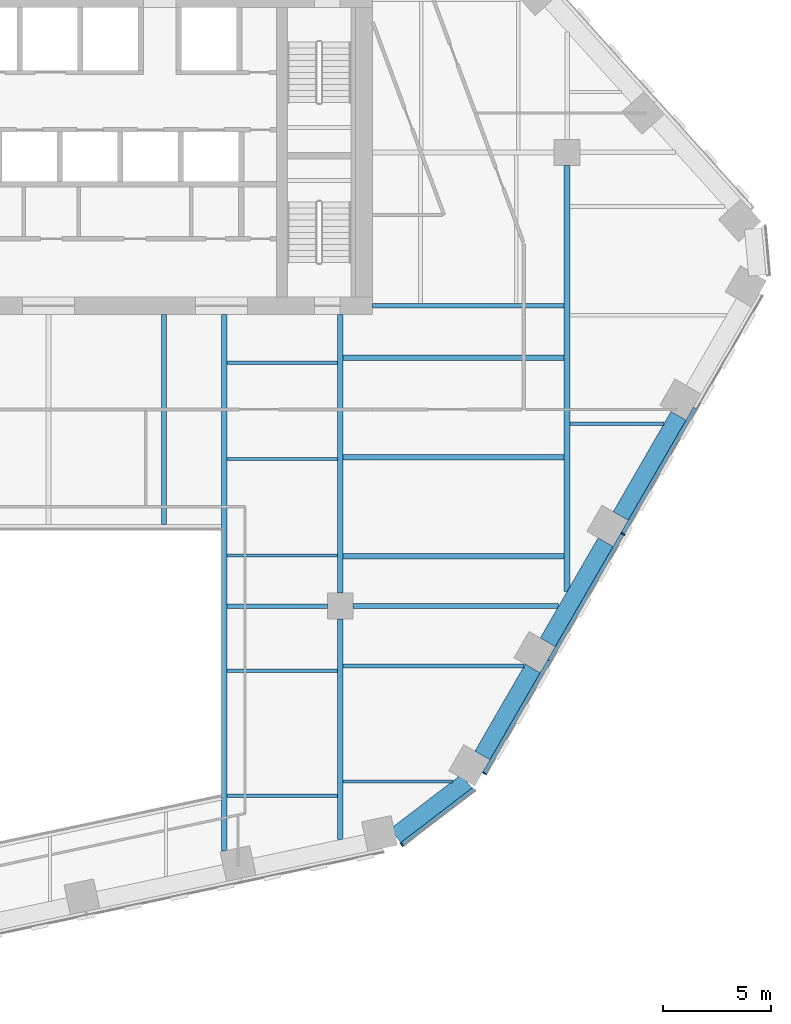
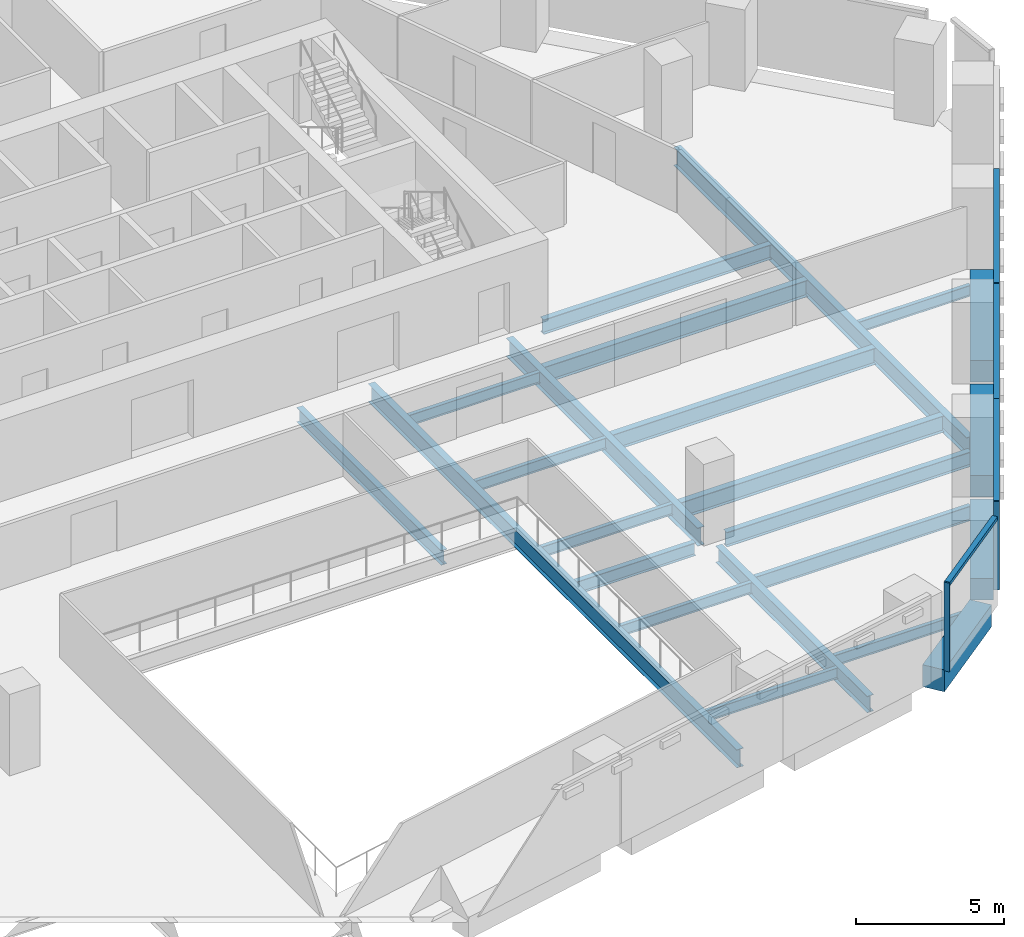
# One storey, part 5 of 17: 23 beams, 7 members, 2 elements without a shape of their own.
"""IFC4 building model written with IfcOpenShell, lengths in metres."""

from ifc_helpers import new_model, si_unit, direction, frame, origin, origin_2d, place, context, subcontext, project, spatial, rectangle, i_section, extrude, material, layer, layer_set, material_profile, profile_set, type_object, element, aggregate, save


model = new_model("IFC4")

# Units and contexts
model_context = context("Model", 3, precision=1e-05, world=origin(), true_north=direction((0.0, 1.0)))
body_context = subcontext(model_context, "Body", "Model", "MODEL_VIEW")
ifc_project = project(units=[si_unit("LENGTHUNIT", "METRE"), si_unit("AREAUNIT", "SQUARE_METRE"), si_unit("VOLUMEUNIT", "CUBIC_METRE"), si_unit("PLANEANGLEUNIT", "RADIAN"), si_unit("MASSUNIT", "GRAM", prefix="KILO")], contexts=[model_context])

# Site, building, storey
site_placement = place(None, origin())
site = spatial("IfcSite", under=ifc_project, at=site_placement, CompositionType="ELEMENT")
building_placement = place(site_placement, origin())
building = spatial("IfcBuilding", under=site, at=building_placement, Name="Isthmus Gate Tower", CompositionType="ELEMENT")
storey_placement = place(building_placement, frame((0.0, 0.0, 162.64990234375)))
storey = spatial("IfcBuildingStorey", under=building, at=storey_placement, Name="L40", CompositionType="ELEMENT", Elevation=162.64990234375)

# Curtain wall, member
ifc_material_1 = material(Name="Aluminium, pale champagne anodised", Category="aluminium")
ifc_layer = layer(ifc_material_1, 0.199951171875)
ifc_layer_set = layer_set([ifc_layer], Name="CW-1 UNITISED CURTAIN WALL 200 DEEP")
curtain_wall_type = type_object("IfcCurtainWallType", Name="CW-1 UNITISED CURTAIN WALL 200 DEEP", PredefinedType="NOTDEFINED", material=ifc_layer_set)
curtain_wall_1_placement = place(storey_placement, origin())
curtain_wall_1 = element("IfcCurtainWall", 1, at=curtain_wall_1_placement, inside=storey, type_object=curtain_wall_type, Name="CW-1 S-SE L40", PredefinedType="NOTDEFINED")
ifc_material_2 = material(Name="Aluminium, pale champagne anodised", Category="aluminium")
ifc_material_profile_1 = material_profile(ifc_material_2, rectangle(XDim=0.06005859375, YDim=0.199951171875, at=origin_2d()), Name="60x200")
ifc_profile_set_1 = profile_set([ifc_material_profile_1], Name="Aluminium, pale champagne anodised")
member_type_1 = type_object("IfcMemberType", Name="CW-1 MULLION 60 X 200", PredefinedType="MULLION", material=ifc_profile_set_1)
member_1_placement = place(storey_placement, frame((16.346435546875, -24.5419921875, 0.0), z_axis=(0.0, 0.0, 1.0), x_axis=(0.794188594387, 0.607671355706, 0.0)))
member_1 = element("IfcMember", 2, at=member_1_placement, type_object=member_type_1, Name="CW-1 mullion", PredefinedType="MULLION", context=body_context, shape_type="SweptSolid", body=[
    extrude(rectangle(XDim=0.06005859375, YDim=0.199951171875, at=origin_2d()), origin(), (0.0, 0.0, 1.0), 3.650146484375),
])

# Curtain wall, members
curtain_wall_2_placement = place(storey_placement, origin())
curtain_wall_2 = element("IfcCurtainWall", 3, at=curtain_wall_2_placement, inside=storey, type_object=curtain_wall_type, Name="CW-1 SE L40", PredefinedType="NOTDEFINED")
member_2_placement = place(storey_placement, frame((20.18115234375, -21.245361328125, 0.0), z_axis=(0.0, 0.0, 1.0), x_axis=(0.5, 0.866025403784, 0.0)))
member_2 = element("IfcMember", 4, at=member_2_placement, type_object=member_type_1, Name="CW-1 mullion", PredefinedType="MULLION", context=body_context, shape_type="SweptSolid", body=[
    extrude(rectangle(XDim=0.06005859375, YDim=0.199951171875, at=origin_2d()), origin(), (0.0, 0.0, 1.0), 3.650146484375),
])
member_3_placement = place(storey_placement, frame((26.5810546875, -10.16015625, 0.0), z_axis=(0.0, 0.0, 1.0), x_axis=(0.5, 0.866025403784, 0.0)))
member_3 = element("IfcMember", 5, at=member_3_placement, type_object=member_type_1, Name="CW-1 mullion", PredefinedType="MULLION", context=body_context, shape_type="SweptSolid", body=[
    extrude(rectangle(XDim=0.06005859375, YDim=0.199951171875, at=origin_2d()), origin(), (0.0, 0.0, 1.0), 3.650146484375),
])

# Member
ifc_material_3 = material(Name="Aluminium, pale champagne anodised", Category="aluminium")
ifc_material_profile_2 = material_profile(ifc_material_3, rectangle(XDim=0.199951171875, YDim=0.139892578125, at=origin_2d()), Name="200x140")
ifc_profile_set_2 = profile_set([ifc_material_profile_2], Name="Aluminium, pale champagne anodised")
member_type_2 = type_object("IfcMemberType", Name="CW-1 TRANSOM 200 X 140", PredefinedType="USERDEFINED", material=ifc_profile_set_2)
member_4_placement = place(storey_placement, frame((16.3701171875, -24.52392578125, 3.580078125), z_axis=(0.79419705805, 0.607660294066, 0.0), x_axis=(-0.607660294066, 0.79419705805, 0.0)))
member_4 = element("IfcMember", 6, at=member_4_placement, type_object=member_type_2, Name="CW-1 transom", ObjectType="TRANSOM", PredefinedType="USERDEFINED", context=body_context, shape_type="SweptSolid", body=[
    extrude(rectangle(XDim=0.199951171875, YDim=0.139892578125, at=origin_2d()), origin(), (0.0, 0.0, 1.0), 4.181640625),
])

aggregate(curtain_wall_1, [member_1, member_4])

member_5_placement = place(storey_placement, frame((20.196044921875, -21.219482421875, 3.580078125), z_axis=(0.499996458184, 0.866027448643, 0.0), x_axis=(-0.866027448643, 0.499996458184, 0.0)))
member_5 = element("IfcMember", 7, at=member_5_placement, type_object=member_type_2, Name="CW-1 transom", ObjectType="TRANSOM", PredefinedType="USERDEFINED", context=body_context, shape_type="SweptSolid", body=[
    extrude(rectangle(XDim=0.199951171875, YDim=0.139892578125, at=origin_2d()), origin(), (0.0, 0.0, 1.0), 5.990234375),
])

member_6_placement = place(storey_placement, frame((23.191162109375, -16.03173828125, 3.580078125), z_axis=(0.499997969693, 0.866026575979, 0.0), x_axis=(-0.866026575979, 0.499997969693, 0.0)))
member_6 = element("IfcMember", 8, at=member_6_placement, type_object=member_type_2, Name="CW-1 transom", ObjectType="TRANSOM", PredefinedType="USERDEFINED", context=body_context, shape_type="SweptSolid", body=[
    extrude(rectangle(XDim=0.199951171875, YDim=0.139892578125, at=origin_2d()), origin(), (0.0, 0.0, 1.0), 6.75),
])

member_7_placement = place(storey_placement, frame((26.59619140625, -10.134033203125, 3.580078125), z_axis=(0.499997283838, 0.866026971956, 0.0), x_axis=(-0.866026971956, 0.499997283838, 0.0)))
member_7 = element("IfcMember", 9, at=member_7_placement, type_object=member_type_2, Name="CW-1 transom", ObjectType="TRANSOM", PredefinedType="USERDEFINED", context=body_context, shape_type="SweptSolid", body=[
    extrude(rectangle(XDim=0.199951171875, YDim=0.139892578125, at=origin_2d()), origin(), (0.0, 0.0, 1.0), 6.68994140625),
])

aggregate(curtain_wall_2, [member_2, member_5, member_6, member_3, member_7])

# Beams
ifc_material_4 = material(Name="Concrete f'c 60 MPa", Category="concrete")
ifc_material_profile_3 = material_profile(ifc_material_4, rectangle(XDim=0.800048828125, YDim=0.89990234375, at=origin_2d()), Name="RC 800X900")
ifc_profile_set_3 = profile_set([ifc_material_profile_3], Name="Concrete f'c 60 MPa")
beam_type_1 = type_object("IfcBeamType", Name="RC SPANDREL 800 X 900", PredefinedType="SPANDREL", material=ifc_profile_set_3)
for number, where, z_axis, x_axis, name in (
    (10, (29.158203125, -4.696533203125, -0.449951171875), (-0.500001594578, -0.866024483152, 0.0), (0.866024483152, -0.500001594578, 0.0), "str-spandrel-L40-07"),
    (11, (25.783203125, -10.542236328125, -0.449951171875), (-0.500001594578, -0.866024483152, 0.0), (0.866024483152, -0.500001594578, 0.0), "str-spandrel-L40-08"),
):
    element("IfcBeam", number, at=place(storey_placement, frame(where, z_axis=z_axis, x_axis=x_axis)), inside=storey, type_object=beam_type_1, Name=name, PredefinedType="SPANDREL", context=body_context, shape_type="SweptSolid", body=[
        extrude(rectangle(XDim=0.800048828125, YDim=0.89990234375, at=origin_2d()), origin(), (0.0, 0.0, 1.0), 5.35009765625),
    ])
beam_1_placement = place(storey_placement, frame((22.408203125, -16.387939453125, -0.449951171875), z_axis=(-0.500001179632, -0.866024722723, 0.0), x_axis=(0.866024722723, -0.500001179632, 0.0)))
element("IfcBeam", 12, at=beam_1_placement, inside=storey, type_object=beam_type_1, Name="str-spandrel-L40-09", PredefinedType="SPANDREL", context=body_context, shape_type="SweptSolid", body=[
    extrude(rectangle(XDim=0.800048828125, YDim=0.89990234375, at=origin_2d()), origin(), (0.0, 0.0, 1.0), 4.650390625),
])
beam_2_placement = place(storey_placement, frame((19.354248046875, -21.611083984375, -0.449951171875), z_axis=(-0.794205941875, -0.607648682949, 0.0), x_axis=(0.607648682949, -0.794205941875, 0.0)))
element("IfcBeam", 13, at=beam_2_placement, inside=storey, type_object=beam_type_1, Name="str-spandrel-L40-10", PredefinedType="SPANDREL", context=body_context, shape_type="SweptSolid", body=[
    extrude(rectangle(XDim=0.800048828125, YDim=0.89990234375, at=origin_2d()), origin(), (0.0, 0.0, 1.0), 4.15234375),
])
ifc_material_5 = material(Name="Structural steel ASTM A992 Gr 50", Category="steel")
ifc_material_profile_4 = material_profile(ifc_material_5, i_section(OverallWidth=0.15234375, OverallDepth=0.45068359375, WebThickness=0.0078125, FlangeThickness=0.010986328125, at=origin_2d()), Name="W18X35")
ifc_profile_set_4 = profile_set([ifc_material_profile_4], Name="Structural steel ASTM A992 Gr 50")
beam_type_2 = type_object("IfcBeamType", Name="STEEL FLOOR BEAM W18X35", PredefinedType="JOIST", material=ifc_profile_set_4)
for number, where, z_axis, x_axis, name in (
    (14, (8.263427734375, -22.283203125, -0.375244140625), (1.0, 0.0, 0.0), (0.0, 1.0, 0.0), "str-beam-L40-09-00"),
    (15, (8.263427734375, -16.49755859375, -0.375244140625), (1.0, 0.0, 0.0), (0.0, 1.0, 0.0), "str-beam-L40-09-01"),
):
    element("IfcBeam", number, at=place(storey_placement, frame(where, z_axis=z_axis, x_axis=x_axis)), inside=storey, type_object=beam_type_2, Name=name, PredefinedType="JOIST", context=body_context, shape_type="SweptSolid", body=[
        extrude(i_section(OverallWidth=0.15234375, OverallDepth=0.45068359375, WebThickness=0.0078125, FlangeThickness=0.010986328125, at=origin_2d()), origin(), (0.0, 0.0, 1.0), 5.109619140625),
    ])
for number, where, z_axis, x_axis, name in (
    (16, (8.263427734375, -11.16259765625, -0.375244140625), (1.0, 0.0, 0.0), (0.0, 1.0, 0.0), "str-beam-L40-10-00"),
    (17, (8.263427734375, -6.697509765625, -0.375244140625), (1.0, 0.0, 0.0), (0.0, 1.0, 0.0), "str-beam-L40-10-01"),
    (18, (8.263427734375, -2.232421875, -0.375244140625), (1.0, 0.0, 0.0), (0.0, 1.0, 0.0), "str-beam-L40-10-02"),
):
    element("IfcBeam", number, at=place(storey_placement, frame(where, z_axis=z_axis, x_axis=x_axis)), inside=storey, type_object=beam_type_2, Name=name, PredefinedType="JOIST", context=body_context, shape_type="SweptSolid", body=[
        extrude(i_section(OverallWidth=0.15234375, OverallDepth=0.45068359375, WebThickness=0.0078125, FlangeThickness=0.010986328125, at=origin_2d()), origin(), (0.0, 0.0, 1.0), 5.104736328125),
    ])
beam_3_placement = place(storey_placement, frame((13.626953125, -21.61767578125, -0.375244140625), z_axis=(1.0, 0.0, 0.0), x_axis=(0.0, 1.0, 0.0)))
element("IfcBeam", 19, at=beam_3_placement, inside=storey, type_object=beam_type_2, Name="str-beam-L40-11-00", PredefinedType="JOIST", context=body_context, shape_type="SweptSolid", body=[
    extrude(i_section(OverallWidth=0.15234375, OverallDepth=0.45068359375, WebThickness=0.0078125, FlangeThickness=0.010986328125, at=origin_2d()), origin(), (0.0, 0.0, 1.0), 5.060302734375),
])
beam_4_placement = place(storey_placement, frame((24.13330078125, -5.0625, -0.375244140625), z_axis=(1.0, 0.0, 0.0), x_axis=(0.0, 1.0, 0.0)))
element("IfcBeam", 20, at=beam_4_placement, inside=storey, type_object=beam_type_2, Name="str-beam-L40-16-00", PredefinedType="JOIST", context=body_context, shape_type="SweptSolid", body=[
    extrude(i_section(OverallWidth=0.15234375, OverallDepth=0.45068359375, WebThickness=0.0078125, FlangeThickness=0.010986328125, at=origin_2d()), origin(), (0.0, 0.0, 1.0), 4.351806640625),
])
ifc_material_6 = material(Name="Structural steel ASTM A992 Gr 50", Category="steel")
ifc_material_profile_5 = material_profile(ifc_material_6, i_section(OverallWidth=0.177734375, OverallDepth=0.60009765625, WebThickness=0.009521484375, FlangeThickness=0.0126953125, at=origin_2d()), Name="W24X55")
ifc_profile_set_5 = profile_set([ifc_material_profile_5], Name="Structural steel ASTM A992 Gr 50")
beam_type_3 = type_object("IfcBeamType", Name="STEEL FLOOR BEAM W24X55", PredefinedType="JOIST", material=ifc_profile_set_5)
beam_5_placement = place(storey_placement, frame((13.626953125, -16.2822265625, -0.449951171875), z_axis=(1.0, 0.0, 0.0), x_axis=(0.0, 1.0, 0.0)))
element("IfcBeam", 21, at=beam_5_placement, inside=storey, type_object=beam_type_3, Name="str-beam-L40-11-01", PredefinedType="JOIST", context=body_context, shape_type="SweptSolid", body=[
    extrude(i_section(OverallWidth=0.177734375, OverallDepth=0.60009765625, WebThickness=0.009521484375, FlangeThickness=0.0126953125, at=origin_2d()), origin(), (0.0, 0.0, 1.0), 8.38037109375),
])
ifc_material_7 = material(Name="Structural steel ASTM A992 Gr 50", Category="steel")
ifc_material_profile_6 = material_profile(ifc_material_7, i_section(OverallWidth=0.228515625, OverallDepth=0.603271484375, WebThickness=0.010986328125, FlangeThickness=0.014404296875, at=origin_2d()), Name="W24X68")
ifc_profile_set_6 = profile_set([ifc_material_profile_6], Name="Structural steel ASTM A992 Gr 50")
beam_type_4 = type_object("IfcBeamType", Name="STEEL FLOOR BEAM W24X68", PredefinedType="JOIST", material=ifc_profile_set_6)
beam_6_placement = place(storey_placement, frame((5.333251953125, -9.7333984375, -0.451416015625), z_axis=(0.0, 1.0, 0.0), x_axis=(-1.0, 0.0, 0.0)))
element("IfcBeam", 22, at=beam_6_placement, inside=storey, type_object=beam_type_4, Name="str-beam-L40-06-02", PredefinedType="JOIST", context=body_context, shape_type="SweptSolid", body=[
    extrude(i_section(OverallWidth=0.228515625, OverallDepth=0.603271484375, WebThickness=0.010986328125, FlangeThickness=0.014404296875, at=origin_2d()), origin(), (0.0, 0.0, 1.0), 9.7333984375),
])
ifc_material_8 = material(Name="Structural steel ASTM A992 Gr 50", Category="steel")
ifc_material_profile_7 = material_profile(ifc_material_8, i_section(OverallWidth=0.25390625, OverallDepth=0.679443359375, WebThickness=0.010986328125, FlangeThickness=0.015869140625, at=origin_2d()), Name="W27X84")
ifc_profile_set_7 = profile_set([ifc_material_profile_7], Name="Structural steel ASTM A992 Gr 50")
beam_type_5 = type_object("IfcBeamType", Name="STEEL FLOOR BEAM W27X84", PredefinedType="JOIST", material=ifc_profile_set_7)
for number, where, z_axis, x_axis, name in (
    (23, (13.6318359375, -11.202392578125, -0.489501953125), (1.0, 0.0, 0.0), (0.0, 1.0, 0.0), "str-beam-L40-12-00"),
    (24, (13.6318359375, -6.607177734375, -0.489501953125), (1.0, 0.0, 0.0), (0.0, 1.0, 0.0), "str-beam-L40-12-01"),
    (25, (13.6318359375, -2.011962890625, -0.489501953125), (1.0, 0.0, 0.0), (0.0, 1.0, 0.0), "str-beam-L40-12-02"),
):
    element("IfcBeam", number, at=place(storey_placement, frame(where, z_axis=z_axis, x_axis=x_axis)), inside=storey, type_object=beam_type_5, Name=name, PredefinedType="JOIST", context=body_context, shape_type="SweptSolid", body=[
        extrude(i_section(OverallWidth=0.25390625, OverallDepth=0.679443359375, WebThickness=0.010986328125, FlangeThickness=0.015869140625, at=origin_2d()), origin(), (0.0, 0.0, 1.0), 10.23486328125),
    ])
ifc_material_9 = material(Name="Structural steel ASTM A992 Gr 50", Category="steel")
ifc_material_profile_8 = material_profile(ifc_material_9, i_section(OverallWidth=0.20947265625, OverallDepth=0.533447265625, WebThickness=0.009521484375, FlangeThickness=0.015869140625, at=origin_2d()), Name="W21X62")
ifc_profile_set_8 = profile_set([ifc_material_profile_8], Name="Structural steel ASTM A992 Gr 50")
beam_type_6 = type_object("IfcBeamType", Name="STEEL GIRDER W21X62", PredefinedType="BEAM", material=ifc_profile_set_8)
beam_7_placement = place(storey_placement, frame((8.263427734375, -13.5, -0.41650390625), z_axis=(1.0, 0.0, 0.0), x_axis=(0.0, 1.0, 0.0)))
element("IfcBeam", 26, at=beam_7_placement, inside=storey, type_object=beam_type_6, Name="str-girder-L40-03", PredefinedType="BEAM", context=body_context, shape_type="SweptSolid", body=[
    extrude(i_section(OverallWidth=0.20947265625, OverallDepth=0.533447265625, WebThickness=0.009521484375, FlangeThickness=0.015869140625, at=origin_2d()), origin(), (0.0, 0.0, 1.0), 4.636474609375),
])
ifc_material_10 = material(Name="Structural steel ASTM A992 Gr 50", Category="steel")
ifc_material_profile_9 = material_profile(ifc_material_10, i_section(OverallWidth=0.228515625, OverallDepth=0.6064453125, WebThickness=0.010986328125, FlangeThickness=0.017578125, at=origin_2d()), Name="W24X76")
ifc_profile_set_9 = profile_set([ifc_material_profile_9], Name="Structural steel ASTM A992 Gr 50")
beam_type_7 = type_object("IfcBeamType", Name="STEEL GIRDER W24X76", PredefinedType="BEAM", material=ifc_profile_set_9)
beam_8_placement = place(storey_placement, frame((14.10009765625, -13.5, -0.453125), z_axis=(1.0, 0.0, 0.0), x_axis=(0.0, 1.0, 0.0)))
element("IfcBeam", 27, at=beam_8_placement, inside=storey, type_object=beam_type_7, Name="str-girder-L40-04", PredefinedType="BEAM", context=body_context, shape_type="SweptSolid", body=[
    extrude(i_section(OverallWidth=0.228515625, OverallDepth=0.6064453125, WebThickness=0.010986328125, FlangeThickness=0.017578125, at=origin_2d()), origin(), (0.0, 0.0, 1.0), 9.513427734375),
])
beam_9_placement = place(storey_placement, frame((15.0, 0.39990234375, -0.453125), z_axis=(1.0, 0.0, 0.0), x_axis=(0.0, 1.0, 0.0)))
element("IfcBeam", 28, at=beam_9_placement, inside=storey, type_object=beam_type_7, Name="str-girder-L40-14", PredefinedType="BEAM", context=body_context, shape_type="SweptSolid", body=[
    extrude(i_section(OverallWidth=0.228515625, OverallDepth=0.6064453125, WebThickness=0.010986328125, FlangeThickness=0.017578125, at=origin_2d()), origin(), (0.0, 0.0, 1.0), 8.86669921875),
])
ifc_material_11 = material(Name="Structural steel ASTM A992 Gr 50", Category="steel")
ifc_material_profile_10 = material_profile(ifc_material_11, i_section(OverallWidth=0.25390625, OverallDepth=0.679443359375, WebThickness=0.010986328125, FlangeThickness=0.015869140625, at=origin_2d()), Name="W27X84")
ifc_profile_set_10 = profile_set([ifc_material_profile_10], Name="Structural steel ASTM A992 Gr 50")
beam_type_8 = type_object("IfcBeamType", Name="STEEL GIRDER W27X84", PredefinedType="BEAM", material=ifc_profile_set_10)
beam_10_placement = place(storey_placement, frame((13.5, -24.3125, -0.489501953125), z_axis=(0.0, 1.0, 0.0), x_axis=(-1.0, 0.0, 0.0)))
element("IfcBeam", 29, at=beam_10_placement, inside=storey, type_object=beam_type_8, Name="str-girder-L40-09", PredefinedType="BEAM", context=body_context, shape_type="SweptSolid", body=[
    extrude(i_section(OverallWidth=0.25390625, OverallDepth=0.679443359375, WebThickness=0.010986328125, FlangeThickness=0.015869140625, at=origin_2d()), origin(), (0.0, 0.0, 1.0), 10.21240234375),
])
ifc_material_12 = material(Name="Structural steel ASTM A992 Gr 50", Category="steel")
ifc_material_profile_11 = material_profile(ifc_material_12, i_section(OverallWidth=0.2666015625, OverallDepth=0.7587890625, WebThickness=0.014404296875, FlangeThickness=0.01904296875, at=origin_2d()), Name="W30X108")
ifc_profile_set_11 = profile_set([ifc_material_profile_11], Name="Structural steel ASTM A992 Gr 50")
beam_type_9 = type_object("IfcBeamType", Name="STEEL GIRDER W30X108", PredefinedType="BEAM", material=ifc_profile_set_11)
beam_11_placement = place(storey_placement, frame((24.0, -12.830810546875, -0.529296875), z_axis=(0.0, 1.0, 0.0), x_axis=(-1.0, 0.0, 0.0)))
element("IfcBeam", 30, at=beam_11_placement, inside=storey, type_object=beam_type_9, Name="str-girder-L40-11", PredefinedType="BEAM", context=body_context, shape_type="SweptSolid", body=[
    extrude(i_section(OverallWidth=0.2666015625, OverallDepth=0.7587890625, WebThickness=0.014404296875, FlangeThickness=0.01904296875, at=origin_2d()), origin(), (0.0, 0.0, 1.0), 19.730712890625),
])
ifc_material_13 = material(Name="Structural steel ASTM A992 Gr 50", Category="steel")
ifc_material_profile_12 = material_profile(ifc_material_13, i_section(OverallWidth=0.263427734375, OverallDepth=0.749267578125, WebThickness=0.0126953125, FlangeThickness=0.015869140625, at=origin_2d()), Name="W30X90")
ifc_profile_set_12 = profile_set([ifc_material_profile_12], Name="Structural steel ASTM A992 Gr 50")
beam_type_10 = type_object("IfcBeamType", Name="STEEL GIRDER W30X90", PredefinedType="BEAM", material=ifc_profile_set_12)
beam_12_placement = place(storey_placement, frame((13.5, -12.89990234375, -0.524658203125), z_axis=(0.0, 1.0, 0.0), x_axis=(-1.0, 0.0, 0.0)))
element("IfcBeam", 31, at=beam_12_placement, inside=storey, type_object=beam_type_10, Name="str-girder-L40-10", PredefinedType="BEAM", context=body_context, shape_type="SweptSolid", body=[
    extrude(i_section(OverallWidth=0.263427734375, OverallDepth=0.749267578125, WebThickness=0.0126953125, FlangeThickness=0.015869140625, at=origin_2d()), origin(), (0.0, 0.0, 1.0), 12.89990234375),
])
ifc_material_14 = material(Name="Structural steel ASTM A992 Gr 50", Category="steel")
ifc_material_profile_13 = material_profile(ifc_material_14, i_section(OverallWidth=0.263427734375, OverallDepth=0.749267578125, WebThickness=0.0126953125, FlangeThickness=0.015869140625, at=origin_2d()), Name="W30X90")
ifc_profile_set_13 = profile_set([ifc_material_profile_13], Name="Structural steel ASTM A992 Gr 50")
beam_type_11 = type_object("IfcBeamType", Name="STEEL TRIMMER W30X90", PredefinedType="BEAM", material=ifc_profile_set_13)
beam_13_placement = place(storey_placement, frame((8.1318359375, -24.84033203125, -0.524658203125), z_axis=(0.0, 1.0, 0.0), x_axis=(-1.0, 0.0, 0.0)))
element("IfcBeam", 32, at=beam_13_placement, inside=storey, type_object=beam_type_11, Name="str-trimmer-L40-01", PredefinedType="BEAM", context=body_context, shape_type="SweptSolid", body=[
    extrude(i_section(OverallWidth=0.263427734375, OverallDepth=0.749267578125, WebThickness=0.0126953125, FlangeThickness=0.015869140625, at=origin_2d()), origin(), (0.0, 0.0, 1.0), 24.84033203125),
])

save(model, "model.ifc")
